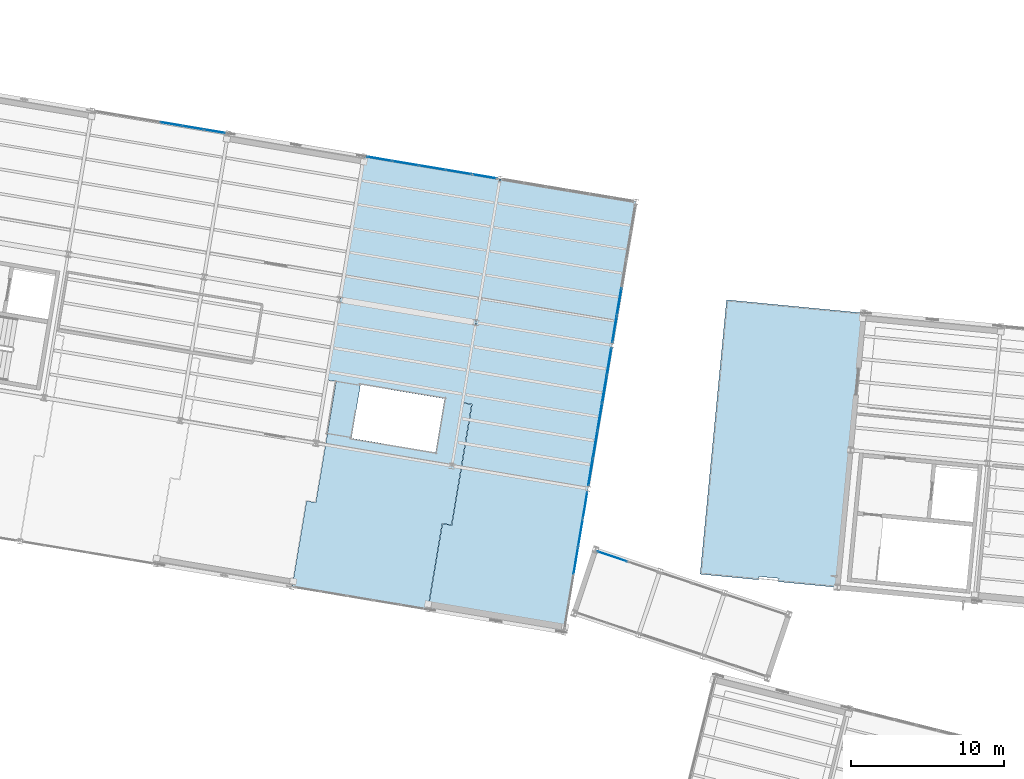
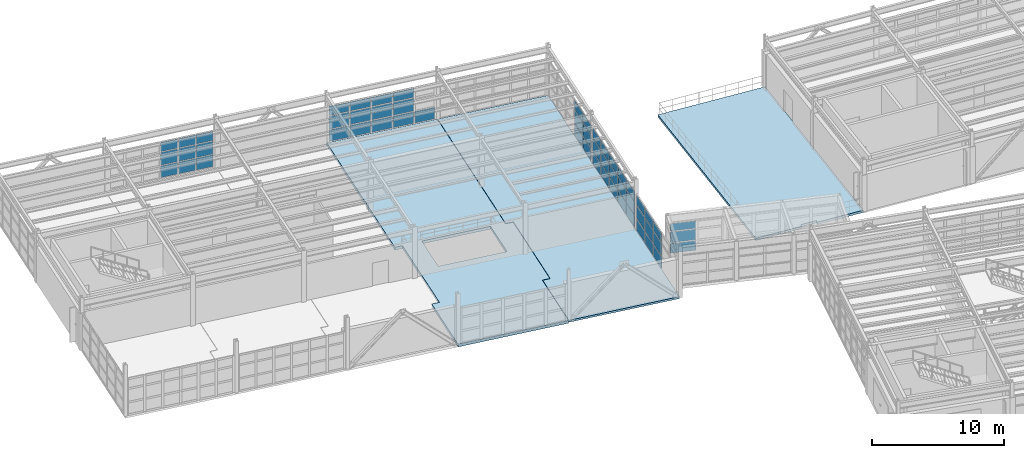
# One storey, part 67 of 102: 55 plates, 3 slabs, 6 elements without a shape of their own.
"""IFC4 building model written with IfcOpenShell, lengths in metres."""

from ifc_helpers import new_model, si_unit, direction, frame, origin, origin_2d, place, context, subcontext, project, spatial, polyline, rectangle, outline, extrude, material, layer, layer_set, type_object, element, aggregate, save


model = new_model("IFC4")

# Units and contexts
model_context = context("Model", 3, precision=1e-05, world=origin(), true_north=direction((0.0, 1.0)))
body_context = subcontext(model_context, "Body", "Model", "MODEL_VIEW")
ifc_project = project(units=[si_unit("LENGTHUNIT", "METRE"), si_unit("AREAUNIT", "SQUARE_METRE"), si_unit("VOLUMEUNIT", "CUBIC_METRE"), si_unit("PLANEANGLEUNIT", "RADIAN"), si_unit("MASSUNIT", "GRAM", prefix="KILO")], contexts=[model_context])

# Site, building, storey
site_placement = place(None, origin())
site = spatial("IfcSite", under=ifc_project, at=site_placement, CompositionType="ELEMENT")
building_placement = place(site_placement, origin())
building = spatial("IfcBuilding", under=site, at=building_placement, Name="Vireo Bluff Cable Station", CompositionType="ELEMENT")
storey_placement = place(building_placement, frame((0.0, 0.0, 9.60009765625)))
storey = spatial("IfcBuildingStorey", under=building, at=storey_placement, Name="L02", CompositionType="ELEMENT", Elevation=9.60009765625)

# Curtain wall, plates
ifc_material_1 = material(Name="Anodized Aluminium 6063-T6", Category="aluminium")
ifc_layer_1 = layer(ifc_material_1, 0.179931640625, Name="Anodized Aluminium 6063-T6")
ifc_layer_set_1 = layer_set([ifc_layer_1], Name="Anodized Aluminium 6063-T6")
curtain_wall_type_1 = type_object("IfcCurtainWallType", Name="CW-UNIT-1500", PredefinedType="USERDEFINED", material=ifc_layer_set_1)
curtain_wall_1_placement = place(storey_placement, origin())
curtain_wall_1 = element("IfcCurtainWall", 1, at=curtain_wall_1_placement, inside=storey, type_object=curtain_wall_type_1, Name="V4 L02 north curtain wall CW-100", ObjectType="UNITISED CURTAIN WALL", PredefinedType="USERDEFINED")
ifc_material_2 = material(Name="Laminated Low-E Insulated Glass", Category="glass")
ifc_layer_2 = layer(ifc_material_2, 0.028076171875, Name="Laminated Low-E Insulated Glass")
ifc_layer_set_2 = layer_set([ifc_layer_2], Name="Laminated Low-E Insulated Glass")
plate_type_1 = type_object("IfcPlateType", Name="CWP-28-1", PredefinedType="CURTAIN_PANEL", material=ifc_layer_set_2)
plate_1_placement = place(storey_placement, frame((24.233642578125, 97.261474609375, 0.06494140625), z_axis=(0.0, 0.0, 1.0), x_axis=(0.986285611827, -0.165047544373, 0.0)))
plate_1 = element("IfcPlate", 2, at=plate_1_placement, type_object=plate_type_1, Name="CW-100 panel 4.1", PredefinedType="CURTAIN_PANEL", context=body_context, shape_type="SweptSolid", body=[
    extrude(rectangle(XDim=1.382568359375, YDim=0.028076171875, at=origin_2d()), origin(), (0.0, 0.0, 1.0), 1.092529296875),
])
plate_2_placement = place(storey_placement, frame((24.233642578125, 97.261474609375, 1.22216796875), z_axis=(0.0, 0.0, 1.0), x_axis=(0.986285611827, -0.165047544373, 0.0)))
plate_2 = element("IfcPlate", 3, at=plate_2_placement, type_object=plate_type_1, Name="CW-100 panel 4.2", PredefinedType="CURTAIN_PANEL", context=body_context, shape_type="SweptSolid", body=[
    extrude(rectangle(XDim=1.382568359375, YDim=0.028076171875, at=origin_2d()), origin(), (0.0, 0.0, 1.0), 1.193115234375),
])
plate_3_placement = place(storey_placement, frame((24.233642578125, 97.261474609375, 2.48046875), z_axis=(0.0, 0.0, 1.0), x_axis=(0.986285611827, -0.165047544373, 0.0)))
plate_3 = element("IfcPlate", 4, at=plate_3_placement, type_object=plate_type_1, Name="CW-100 panel 4.3", PredefinedType="CURTAIN_PANEL", context=body_context, shape_type="SweptSolid", body=[
    extrude(rectangle(XDim=1.382568359375, YDim=0.028076171875, at=origin_2d()), origin(), (0.0, 0.0, 1.0), 0.8544921875),
])
plate_4_placement = place(storey_placement, frame((25.6611328125, 97.0224609375, 0.06494140625), z_axis=(0.0, 0.0, 1.0), x_axis=(0.986285611827, -0.165047544373, 0.0)))
plate_4 = element("IfcPlate", 5, at=plate_4_placement, type_object=plate_type_1, Name="CW-100 panel 5.1", PredefinedType="CURTAIN_PANEL", context=body_context, shape_type="SweptSolid", body=[
    extrude(rectangle(XDim=1.382568359375, YDim=0.028076171875, at=origin_2d()), origin(), (0.0, 0.0, 1.0), 1.092529296875),
])
plate_5_placement = place(storey_placement, frame((25.6611328125, 97.0224609375, 1.22216796875), z_axis=(0.0, 0.0, 1.0), x_axis=(0.986285611827, -0.165047544373, 0.0)))
plate_5 = element("IfcPlate", 6, at=plate_5_placement, type_object=plate_type_1, Name="CW-100 panel 5.2", PredefinedType="CURTAIN_PANEL", context=body_context, shape_type="SweptSolid", body=[
    extrude(rectangle(XDim=1.382568359375, YDim=0.028076171875, at=origin_2d()), origin(), (0.0, 0.0, 1.0), 1.193115234375),
])
plate_6_placement = place(storey_placement, frame((25.6611328125, 97.0224609375, 2.48046875), z_axis=(0.0, 0.0, 1.0), x_axis=(0.986285611827, -0.165047544373, 0.0)))
plate_6 = element("IfcPlate", 7, at=plate_6_placement, type_object=plate_type_1, Name="CW-100 panel 5.3", PredefinedType="CURTAIN_PANEL", context=body_context, shape_type="SweptSolid", body=[
    extrude(rectangle(XDim=1.382568359375, YDim=0.028076171875, at=origin_2d()), origin(), (0.0, 0.0, 1.0), 0.8544921875),
])
plate_7_placement = place(storey_placement, frame((27.07275390625, 96.7861328125, 0.06494140625), z_axis=(0.0, 0.0, 1.0), x_axis=(0.986285611827, -0.165047544373, 0.0)))
plate_7 = element("IfcPlate", 8, at=plate_7_placement, type_object=plate_type_1, Name="CW-100 panel 6.1", PredefinedType="CURTAIN_PANEL", context=body_context, shape_type="SweptSolid", body=[
    extrude(rectangle(XDim=1.35009765625, YDim=0.028076171875, at=origin_2d()), origin(), (0.0, 0.0, 1.0), 1.092529296875),
])
plate_8_placement = place(storey_placement, frame((27.07275390625, 96.7861328125, 1.22216796875), z_axis=(0.0, 0.0, 1.0), x_axis=(0.986285611827, -0.165047544373, 0.0)))
plate_8 = element("IfcPlate", 9, at=plate_8_placement, type_object=plate_type_1, Name="CW-100 panel 6.2", PredefinedType="CURTAIN_PANEL", context=body_context, shape_type="SweptSolid", body=[
    extrude(rectangle(XDim=1.35009765625, YDim=0.028076171875, at=origin_2d()), origin(), (0.0, 0.0, 1.0), 1.193115234375),
])
plate_9_placement = place(storey_placement, frame((27.07275390625, 96.7861328125, 2.48046875), z_axis=(0.0, 0.0, 1.0), x_axis=(0.986285611827, -0.165047544373, 0.0)))
plate_9 = element("IfcPlate", 10, at=plate_9_placement, type_object=plate_type_1, Name="CW-100 panel 6.3", PredefinedType="CURTAIN_PANEL", context=body_context, shape_type="SweptSolid", body=[
    extrude(rectangle(XDim=1.35009765625, YDim=0.028076171875, at=origin_2d()), origin(), (0.0, 0.0, 1.0), 0.8544921875),
])
aggregate(curtain_wall_1, [plate_1, plate_2, plate_3, plate_4, plate_5, plate_6, plate_7, plate_8, plate_9])

ifc_layer_3 = layer(ifc_material_1, 0.159912109375, Name="Anodized Aluminium 6063-T6")
ifc_layer_set_3 = layer_set([ifc_layer_3], Name="Anodized Aluminium 6063-T6")
curtain_wall_type_2 = type_object("IfcCurtainWallType", Name="CW-STICK-1850", PredefinedType="USERDEFINED", material=ifc_layer_set_3)
curtain_wall_2_placement = place(storey_placement, origin())
curtain_wall_2 = element("IfcCurtainWall", 11, at=curtain_wall_2_placement, inside=storey, type_object=curtain_wall_type_2, Name="V4 L02 east curtain wall CW-105", ObjectType="STICK CURTAIN WALL", PredefinedType="USERDEFINED")
plate_10_placement = place(storey_placement, frame((51.269287109375, 72.358642578125, 0.0751953125), z_axis=(0.0, 0.0, 1.0), x_axis=(-0.165047565064, -0.986285608364, 0.0)))
plate_10 = element("IfcPlate", 12, at=plate_10_placement, type_object=plate_type_1, Name="CW-105 panel 1.1", PredefinedType="CURTAIN_PANEL", context=body_context, shape_type="SweptSolid", body=[
    extrude(rectangle(XDim=1.72119140625, YDim=0.028076171875, at=origin_2d()), origin(), (0.0, 0.0, 1.0), 1.077392578125),
])
plate_11_placement = place(storey_placement, frame((51.269287109375, 72.358642578125, 1.227294921875), z_axis=(0.0, 0.0, 1.0), x_axis=(-0.165047565064, -0.986285608364, 0.0)))
plate_11 = element("IfcPlate", 13, at=plate_11_placement, type_object=plate_type_1, Name="CW-105 panel 1.2", PredefinedType="CURTAIN_PANEL", context=body_context, shape_type="SweptSolid", body=[
    extrude(rectangle(XDim=1.72119140625, YDim=0.028076171875, at=origin_2d()), origin(), (0.0, 0.0, 1.0), 1.18310546875),
])
plate_12_placement = place(storey_placement, frame((51.269287109375, 72.358642578125, 2.4853515625), z_axis=(0.0, 0.0, 1.0), x_axis=(-0.165047565064, -0.986285608364, 0.0)))
plate_12 = element("IfcPlate", 14, at=plate_12_placement, type_object=plate_type_1, Name="CW-105 panel 1.3", PredefinedType="CURTAIN_PANEL", context=body_context, shape_type="SweptSolid", body=[
    extrude(rectangle(XDim=1.72119140625, YDim=0.028076171875, at=origin_2d()), origin(), (0.0, 0.0, 1.0), 0.839599609375),
])
plate_13_placement = place(storey_placement, frame((50.969970703125, 70.568603515625, 0.0751953125), z_axis=(0.0, 0.0, 1.0), x_axis=(-0.165047565064, -0.986285608364, 0.0)))
plate_13 = element("IfcPlate", 15, at=plate_13_placement, type_object=plate_type_1, Name="CW-105 panel 2.1", PredefinedType="CURTAIN_PANEL", context=body_context, shape_type="SweptSolid", body=[
    extrude(rectangle(XDim=1.758544921875, YDim=0.028076171875, at=origin_2d()), origin(), (0.0, 0.0, 1.0), 1.077392578125),
])
plate_14_placement = place(storey_placement, frame((50.969970703125, 70.568603515625, 1.227294921875), z_axis=(0.0, 0.0, 1.0), x_axis=(-0.165047565064, -0.986285608364, 0.0)))
plate_14 = element("IfcPlate", 16, at=plate_14_placement, type_object=plate_type_1, Name="CW-105 panel 2.2", PredefinedType="CURTAIN_PANEL", context=body_context, shape_type="SweptSolid", body=[
    extrude(rectangle(XDim=1.758544921875, YDim=0.028076171875, at=origin_2d()), origin(), (0.0, 0.0, 1.0), 1.18310546875),
])
plate_15_placement = place(storey_placement, frame((50.969970703125, 70.568603515625, 2.4853515625), z_axis=(0.0, 0.0, 1.0), x_axis=(-0.165047565064, -0.986285608364, 0.0)))
plate_15 = element("IfcPlate", 17, at=plate_15_placement, type_object=plate_type_1, Name="CW-105 panel 2.3", PredefinedType="CURTAIN_PANEL", context=body_context, shape_type="SweptSolid", body=[
    extrude(rectangle(XDim=1.758544921875, YDim=0.028076171875, at=origin_2d()), origin(), (0.0, 0.0, 1.0), 0.839599609375),
])
plate_16_placement = place(storey_placement, frame((50.667236328125, 68.76025390625, 0.0751953125), z_axis=(0.0, 0.0, 1.0), x_axis=(-0.165047565064, -0.986285608364, 0.0)))
plate_16 = element("IfcPlate", 18, at=plate_16_placement, type_object=plate_type_1, Name="CW-105 panel 3.1", PredefinedType="CURTAIN_PANEL", context=body_context, shape_type="SweptSolid", body=[
    extrude(rectangle(XDim=1.758544921875, YDim=0.028076171875, at=origin_2d()), origin(), (0.0, 0.0, 1.0), 1.077392578125),
])
plate_17_placement = place(storey_placement, frame((50.667236328125, 68.76025390625, 1.227294921875), z_axis=(0.0, 0.0, 1.0), x_axis=(-0.165047565064, -0.986285608364, 0.0)))
plate_17 = element("IfcPlate", 19, at=plate_17_placement, type_object=plate_type_1, Name="CW-105 panel 3.2", PredefinedType="CURTAIN_PANEL", context=body_context, shape_type="SweptSolid", body=[
    extrude(rectangle(XDim=1.758544921875, YDim=0.028076171875, at=origin_2d()), origin(), (0.0, 0.0, 1.0), 1.18310546875),
])
plate_18_placement = place(storey_placement, frame((50.667236328125, 68.76025390625, 2.4853515625), z_axis=(0.0, 0.0, 1.0), x_axis=(-0.165047565064, -0.986285608364, 0.0)))
plate_18 = element("IfcPlate", 20, at=plate_18_placement, type_object=plate_type_1, Name="CW-105 panel 3.3", PredefinedType="CURTAIN_PANEL", context=body_context, shape_type="SweptSolid", body=[
    extrude(rectangle(XDim=1.758544921875, YDim=0.028076171875, at=origin_2d()), origin(), (0.0, 0.0, 1.0), 0.839599609375),
])
aggregate(curtain_wall_2, [plate_10, plate_11, plate_12, plate_13, plate_14, plate_15, plate_16, plate_17, plate_18])

ifc_layer_4 = layer(ifc_material_1, 0.179931640625, Name="Anodized Aluminium 6063-T6")
ifc_layer_set_4 = layer_set([ifc_layer_4], Name="Anodized Aluminium 6063-T6")
curtain_wall_type_3 = type_object("IfcCurtainWallType", Name="CW-UNIT-1650", PredefinedType="USERDEFINED", material=ifc_layer_set_4)
curtain_wall_3_placement = place(storey_placement, origin())
curtain_wall_3 = element("IfcCurtainWall", 21, at=curtain_wall_3_placement, inside=storey, type_object=curtain_wall_type_3, Name="V4 L02 north curtain wall CW-101", ObjectType="UNITISED CURTAIN WALL", PredefinedType="USERDEFINED")
ifc_layer_5 = layer(ifc_material_2, 0.031982421875, Name="Laminated Low-E Insulated Glass")
ifc_layer_set_5 = layer_set([ifc_layer_5], Name="Laminated Low-E Insulated Glass")
plate_type_2 = type_object("IfcPlateType", Name="CWP-32-2", PredefinedType="CURTAIN_PANEL", material=ifc_layer_set_5)
plate_19_placement = place(storey_placement, frame((37.841552734375, 94.984130859375, 0.0751953125), z_axis=(0.0, 0.0, 1.0), x_axis=(0.986285605556, -0.165047581847, 0.0)))
plate_19 = element("IfcPlate", 22, at=plate_19_placement, type_object=plate_type_2, Name="CW-101 panel 1.1", PredefinedType="CURTAIN_PANEL", context=body_context, shape_type="SweptSolid", body=[
    extrude(rectangle(XDim=1.635986328125, YDim=0.031982421875, at=origin_2d()), origin(), (0.0, 0.0, 1.0), 1.077392578125),
])
plate_20_placement = place(storey_placement, frame((37.841552734375, 94.984130859375, 1.227294921875), z_axis=(0.0, 0.0, 1.0), x_axis=(0.986285605556, -0.165047581847, 0.0)))
plate_20 = element("IfcPlate", 23, at=plate_20_placement, type_object=plate_type_2, Name="CW-101 panel 1.2", PredefinedType="CURTAIN_PANEL", context=body_context, shape_type="SweptSolid", body=[
    extrude(rectangle(XDim=1.635986328125, YDim=0.031982421875, at=origin_2d()), origin(), (0.0, 0.0, 1.0), 1.18310546875),
])
plate_21_placement = place(storey_placement, frame((37.841552734375, 94.984130859375, 2.4853515625), z_axis=(0.0, 0.0, 1.0), x_axis=(0.986285605556, -0.165047581847, 0.0)))
plate_21 = element("IfcPlate", 24, at=plate_21_placement, type_object=plate_type_2, Name="CW-101 panel 1.3", PredefinedType="CURTAIN_PANEL", context=body_context, shape_type="SweptSolid", body=[
    extrude(rectangle(XDim=1.635986328125, YDim=0.031982421875, at=origin_2d()), origin(), (0.0, 0.0, 1.0), 0.839599609375),
])
plate_22_placement = place(storey_placement, frame((39.54736328125, 94.69873046875, 0.0751953125), z_axis=(0.0, 0.0, 1.0), x_axis=(0.986285605556, -0.165047581847, 0.0)))
plate_22 = element("IfcPlate", 25, at=plate_22_placement, type_object=plate_type_2, Name="CW-101 panel 2.1", PredefinedType="CURTAIN_PANEL", context=body_context, shape_type="SweptSolid", body=[
    extrude(rectangle(XDim=1.67333984375, YDim=0.031982421875, at=origin_2d()), origin(), (0.0, 0.0, 1.0), 1.077392578125),
])
plate_23_placement = place(storey_placement, frame((39.54736328125, 94.69873046875, 1.227294921875), z_axis=(0.0, 0.0, 1.0), x_axis=(0.986285605556, -0.165047581847, 0.0)))
plate_23 = element("IfcPlate", 26, at=plate_23_placement, type_object=plate_type_2, Name="CW-101 panel 2.2", PredefinedType="CURTAIN_PANEL", context=body_context, shape_type="SweptSolid", body=[
    extrude(rectangle(XDim=1.67333984375, YDim=0.031982421875, at=origin_2d()), origin(), (0.0, 0.0, 1.0), 1.18310546875),
])
plate_24_placement = place(storey_placement, frame((39.54736328125, 94.69873046875, 2.4853515625), z_axis=(0.0, 0.0, 1.0), x_axis=(0.986285605556, -0.165047581847, 0.0)))
plate_24 = element("IfcPlate", 27, at=plate_24_placement, type_object=plate_type_2, Name="CW-101 panel 2.3", PredefinedType="CURTAIN_PANEL", context=body_context, shape_type="SweptSolid", body=[
    extrude(rectangle(XDim=1.67333984375, YDim=0.031982421875, at=origin_2d()), origin(), (0.0, 0.0, 1.0), 0.839599609375),
])
plate_25_placement = place(storey_placement, frame((41.27197265625, 94.41015625, 0.0751953125), z_axis=(0.0, 0.0, 1.0), x_axis=(0.986285605556, -0.165047581847, 0.0)))
plate_25 = element("IfcPlate", 28, at=plate_25_placement, type_object=plate_type_2, Name="CW-101 panel 3.1", PredefinedType="CURTAIN_PANEL", context=body_context, shape_type="SweptSolid", body=[
    extrude(rectangle(XDim=1.67333984375, YDim=0.031982421875, at=origin_2d()), origin(), (0.0, 0.0, 1.0), 1.077392578125),
])
plate_26_placement = place(storey_placement, frame((41.27197265625, 94.41015625, 1.227294921875), z_axis=(0.0, 0.0, 1.0), x_axis=(0.986285605556, -0.165047581847, 0.0)))
plate_26 = element("IfcPlate", 29, at=plate_26_placement, type_object=plate_type_2, Name="CW-101 panel 3.2", PredefinedType="CURTAIN_PANEL", context=body_context, shape_type="SweptSolid", body=[
    extrude(rectangle(XDim=1.67333984375, YDim=0.031982421875, at=origin_2d()), origin(), (0.0, 0.0, 1.0), 1.18310546875),
])
plate_27_placement = place(storey_placement, frame((41.27197265625, 94.41015625, 2.4853515625), z_axis=(0.0, 0.0, 1.0), x_axis=(0.986285605556, -0.165047581847, 0.0)))
plate_27 = element("IfcPlate", 30, at=plate_27_placement, type_object=plate_type_2, Name="CW-101 panel 3.3", PredefinedType="CURTAIN_PANEL", context=body_context, shape_type="SweptSolid", body=[
    extrude(rectangle(XDim=1.67333984375, YDim=0.031982421875, at=origin_2d()), origin(), (0.0, 0.0, 1.0), 0.839599609375),
])
plate_28_placement = place(storey_placement, frame((42.996337890625, 94.12158203125, 0.0751953125), z_axis=(0.0, 0.0, 1.0), x_axis=(0.986285605556, -0.165047581847, 0.0)))
plate_28 = element("IfcPlate", 31, at=plate_28_placement, type_object=plate_type_2, Name="CW-101 panel 4.1", PredefinedType="CURTAIN_PANEL", context=body_context, shape_type="SweptSolid", body=[
    extrude(rectangle(XDim=1.67333984375, YDim=0.031982421875, at=origin_2d()), origin(), (0.0, 0.0, 1.0), 1.077392578125),
])
plate_29_placement = place(storey_placement, frame((42.996337890625, 94.12158203125, 1.227294921875), z_axis=(0.0, 0.0, 1.0), x_axis=(0.986285605556, -0.165047581847, 0.0)))
plate_29 = element("IfcPlate", 32, at=plate_29_placement, type_object=plate_type_2, Name="CW-101 panel 4.2", PredefinedType="CURTAIN_PANEL", context=body_context, shape_type="SweptSolid", body=[
    extrude(rectangle(XDim=1.67333984375, YDim=0.031982421875, at=origin_2d()), origin(), (0.0, 0.0, 1.0), 1.18310546875),
])
plate_30_placement = place(storey_placement, frame((42.996337890625, 94.12158203125, 2.4853515625), z_axis=(0.0, 0.0, 1.0), x_axis=(0.986285605556, -0.165047581847, 0.0)))
plate_30 = element("IfcPlate", 33, at=plate_30_placement, type_object=plate_type_2, Name="CW-101 panel 4.3", PredefinedType="CURTAIN_PANEL", context=body_context, shape_type="SweptSolid", body=[
    extrude(rectangle(XDim=1.67333984375, YDim=0.031982421875, at=origin_2d()), origin(), (0.0, 0.0, 1.0), 0.839599609375),
])
plate_31_placement = place(storey_placement, frame((44.7021484375, 93.836181640625, 0.0751953125), z_axis=(0.0, 0.0, 1.0), x_axis=(0.986285605556, -0.165047581847, 0.0)))
plate_31 = element("IfcPlate", 34, at=plate_31_placement, type_object=plate_type_2, Name="CW-101 panel 5.1", PredefinedType="CURTAIN_PANEL", context=body_context, shape_type="SweptSolid", body=[
    extrude(rectangle(XDim=1.635986328125, YDim=0.031982421875, at=origin_2d()), origin(), (0.0, 0.0, 1.0), 1.077392578125),
])
aggregate(curtain_wall_3, [plate_19, plate_20, plate_21, plate_22, plate_23, plate_24, plate_25, plate_26, plate_27, plate_28, plate_29, plate_30, plate_31])

curtain_wall_4_placement = place(storey_placement, origin())
curtain_wall_4 = element("IfcCurtainWall", 35, at=curtain_wall_4_placement, inside=storey, type_object=curtain_wall_type_2, Name="SKYBR L02 CABIN-TRANSFER-1R curtain wall CW-141", ObjectType="STICK CURTAIN WALL", PredefinedType="USERDEFINED")
plate_32_placement = place(storey_placement, frame((53.048095703125, 69.017333984375, 0.074951171875), z_axis=(0.0, 0.0, 1.0), x_axis=(0.948115110586, -0.317927251237, 0.0)))
plate_32 = element("IfcPlate", 36, at=plate_32_placement, type_object=plate_type_2, Name="CW-141 panel 1.1", PredefinedType="CURTAIN_PANEL", context=body_context, shape_type="SweptSolid", body=[
    extrude(rectangle(XDim=1.987548828125, YDim=0.031982421875, at=origin_2d()), origin(), (0.0, 0.0, 1.0), 0.8955078125),
])
plate_33_placement = place(storey_placement, frame((53.048095703125, 69.017333984375, 1.04541015625), z_axis=(0.0, 0.0, 1.0), x_axis=(0.948115110586, -0.317927251237, 0.0)))
plate_33 = element("IfcPlate", 37, at=plate_33_placement, type_object=plate_type_2, Name="CW-141 panel 1.2", PredefinedType="CURTAIN_PANEL", context=body_context, shape_type="SweptSolid", body=[
    extrude(rectangle(XDim=1.987548828125, YDim=0.031982421875, at=origin_2d()), origin(), (0.0, 0.0, 1.0), 0.990478515625),
])
plate_34_placement = place(storey_placement, frame((53.048095703125, 69.017333984375, 2.111083984375), z_axis=(0.0, 0.0, 1.0), x_axis=(0.948115110586, -0.317927251237, 0.0)))
plate_34 = element("IfcPlate", 38, at=plate_34_placement, type_object=plate_type_2, Name="CW-141 panel 1.3", PredefinedType="CURTAIN_PANEL", context=body_context, shape_type="SweptSolid", body=[
    extrude(rectangle(XDim=1.987548828125, YDim=0.031982421875, at=origin_2d()), origin(), (0.0, 0.0, 1.0), 0.69384765625),
])
aggregate(curtain_wall_4, [plate_32, plate_33, plate_34])

curtain_wall_5_placement = place(storey_placement, origin())
curtain_wall_5 = element("IfcCurtainWall", 39, at=curtain_wall_5_placement, inside=storey, type_object=curtain_wall_type_2, Name="V4 L02 east curtain wall CW-103", ObjectType="STICK CURTAIN WALL", PredefinedType="USERDEFINED")
ifc_material_3 = material(Name="Insulated Spandrel Glass Panel", Category="glass")
ifc_layer_6 = layer(ifc_material_3, 0.0419921875, Name="Insulated Spandrel Glass Panel")
ifc_layer_set_6 = layer_set([ifc_layer_6], Name="Insulated Spandrel Glass Panel")
plate_type_3 = type_object("IfcPlateType", Name="CWP-42-4", PredefinedType="CURTAIN_PANEL", material=ifc_layer_set_6)
plate_35_placement = place(storey_placement, frame((53.49658203125, 85.667236328125, 0.080078125), z_axis=(0.0, 0.0, 1.0), x_axis=(-0.165047635589, -0.986285596562, 0.0)))
plate_35 = element("IfcPlate", 40, at=plate_35_placement, type_object=plate_type_3, Name="CW-103 panel 4.1", PredefinedType="CURTAIN_PANEL", context=body_context, shape_type="SweptSolid", body=[
    extrude(rectangle(XDim=1.760498046875, YDim=0.0419921875, at=origin_2d()), origin(), (0.0, 0.0, 1.0), 1.070068359375),
])
plate_36_placement = place(storey_placement, frame((53.49658203125, 85.667236328125, 1.22998046875), z_axis=(0.0, 0.0, 1.0), x_axis=(-0.165047635589, -0.986285596562, 0.0)))
plate_36 = element("IfcPlate", 41, at=plate_36_placement, type_object=plate_type_3, Name="CW-103 panel 4.2", PredefinedType="CURTAIN_PANEL", context=body_context, shape_type="SweptSolid", body=[
    extrude(rectangle(XDim=1.760498046875, YDim=0.0419921875, at=origin_2d()), origin(), (0.0, 0.0, 1.0), 1.177978515625),
])
plate_37_placement = place(storey_placement, frame((53.49658203125, 85.667236328125, 2.48779296875), z_axis=(0.0, 0.0, 1.0), x_axis=(-0.165047635589, -0.986285596562, 0.0)))
plate_37 = element("IfcPlate", 42, at=plate_37_placement, type_object=plate_type_3, Name="CW-103 panel 4.3", PredefinedType="CURTAIN_PANEL", context=body_context, shape_type="SweptSolid", body=[
    extrude(rectangle(XDim=1.760498046875, YDim=0.0419921875, at=origin_2d()), origin(), (0.0, 0.0, 1.0), 0.83203125),
])
plate_38_placement = place(storey_placement, frame((53.196044921875, 83.871826171875, 0.080078125), z_axis=(0.0, 0.0, 1.0), x_axis=(-0.165047635589, -0.986285596562, 0.0)))
plate_38 = element("IfcPlate", 43, at=plate_38_placement, type_object=plate_type_3, Name="CW-103 panel 5.1", PredefinedType="CURTAIN_PANEL", context=body_context, shape_type="SweptSolid", body=[
    extrude(rectangle(XDim=1.720458984375, YDim=0.0419921875, at=origin_2d()), origin(), (0.0, 0.0, 1.0), 1.070068359375),
])
plate_39_placement = place(storey_placement, frame((53.196044921875, 83.871826171875, 1.22998046875), z_axis=(0.0, 0.0, 1.0), x_axis=(-0.165047635589, -0.986285596562, 0.0)))
plate_39 = element("IfcPlate", 44, at=plate_39_placement, type_object=plate_type_3, Name="CW-103 panel 5.2", PredefinedType="CURTAIN_PANEL", context=body_context, shape_type="SweptSolid", body=[
    extrude(rectangle(XDim=1.720458984375, YDim=0.0419921875, at=origin_2d()), origin(), (0.0, 0.0, 1.0), 1.177978515625),
])
plate_40_placement = place(storey_placement, frame((53.196044921875, 83.871826171875, 2.48779296875), z_axis=(0.0, 0.0, 1.0), x_axis=(-0.165047635589, -0.986285596562, 0.0)))
plate_40 = element("IfcPlate", 45, at=plate_40_placement, type_object=plate_type_3, Name="CW-103 panel 5.3", PredefinedType="CURTAIN_PANEL", context=body_context, shape_type="SweptSolid", body=[
    extrude(rectangle(XDim=1.720458984375, YDim=0.0419921875, at=origin_2d()), origin(), (0.0, 0.0, 1.0), 0.83203125),
])
aggregate(curtain_wall_5, [plate_35, plate_36, plate_37, plate_38, plate_39, plate_40])

ifc_layer_7 = layer(ifc_material_1, 0.159912109375, Name="Anodized Aluminium 6063-T6")
ifc_layer_set_7 = layer_set([ifc_layer_7], Name="Anodized Aluminium 6063-T6")
curtain_wall_type_4 = type_object("IfcCurtainWallType", Name="CW-STICK-1750", PredefinedType="USERDEFINED", material=ifc_layer_set_7)
curtain_wall_6_placement = place(storey_placement, origin())
curtain_wall_6 = element("IfcCurtainWall", 46, at=curtain_wall_6_placement, inside=storey, type_object=curtain_wall_type_4, Name="V4 L02 east curtain wall CW-104", ObjectType="STICK CURTAIN WALL", PredefinedType="USERDEFINED")
ifc_layer_8 = layer(ifc_material_3, 0.048095703125, Name="Insulated Spandrel Glass Panel")
ifc_layer_set_8 = layer_set([ifc_layer_8], Name="Insulated Spandrel Glass Panel")
plate_type_4 = type_object("IfcPlateType", Name="CWP-48-5", PredefinedType="CURTAIN_PANEL", material=ifc_layer_set_8)
plate_41_placement = place(storey_placement, frame((52.842041015625, 81.75634765625, 0.06494140625), z_axis=(0.0, 0.0, 1.0), x_axis=(-0.165047547574, -0.986285611291, 0.0)))
plate_41 = element("IfcPlate", 47, at=plate_41_placement, type_object=plate_type_4, Name="CW-104 panel 1.1", PredefinedType="CURTAIN_PANEL", context=body_context, shape_type="SweptSolid", body=[
    extrude(rectangle(XDim=1.742919921875, YDim=0.048095703125, at=origin_2d()), origin(), (0.0, 0.0, 1.0), 1.092529296875),
])
plate_42_placement = place(storey_placement, frame((52.842041015625, 81.75634765625, 1.22216796875), z_axis=(0.0, 0.0, 1.0), x_axis=(-0.165047547574, -0.986285611291, 0.0)))
plate_42 = element("IfcPlate", 48, at=plate_42_placement, type_object=plate_type_4, Name="CW-104 panel 1.2", PredefinedType="CURTAIN_PANEL", context=body_context, shape_type="SweptSolid", body=[
    extrude(rectangle(XDim=1.742919921875, YDim=0.048095703125, at=origin_2d()), origin(), (0.0, 0.0, 1.0), 1.193115234375),
])
plate_43_placement = place(storey_placement, frame((52.842041015625, 81.75634765625, 2.48046875), z_axis=(0.0, 0.0, 1.0), x_axis=(-0.165047547574, -0.986285611291, 0.0)))
plate_43 = element("IfcPlate", 49, at=plate_43_placement, type_object=plate_type_4, Name="CW-104 panel 1.3", PredefinedType="CURTAIN_PANEL", context=body_context, shape_type="SweptSolid", body=[
    extrude(rectangle(XDim=1.742919921875, YDim=0.048095703125, at=origin_2d()), origin(), (0.0, 0.0, 1.0), 0.8544921875),
])
plate_44_placement = place(storey_placement, frame((52.541015625, 79.957275390625, 0.06494140625), z_axis=(0.0, 0.0, 1.0), x_axis=(-0.165047547574, -0.986285611291, 0.0)))
plate_44 = element("IfcPlate", 50, at=plate_44_placement, type_object=plate_type_4, Name="CW-104 panel 2.1", PredefinedType="CURTAIN_PANEL", context=body_context, shape_type="SweptSolid", body=[
    extrude(rectangle(XDim=1.775390625, YDim=0.048095703125, at=origin_2d()), origin(), (0.0, 0.0, 1.0), 1.092529296875),
])
plate_45_placement = place(storey_placement, frame((52.541015625, 79.957275390625, 1.22216796875), z_axis=(0.0, 0.0, 1.0), x_axis=(-0.165047547574, -0.986285611291, 0.0)))
plate_45 = element("IfcPlate", 51, at=plate_45_placement, type_object=plate_type_4, Name="CW-104 panel 2.2", PredefinedType="CURTAIN_PANEL", context=body_context, shape_type="SweptSolid", body=[
    extrude(rectangle(XDim=1.775390625, YDim=0.048095703125, at=origin_2d()), origin(), (0.0, 0.0, 1.0), 1.193115234375),
])
plate_46_placement = place(storey_placement, frame((52.541015625, 79.957275390625, 2.48046875), z_axis=(0.0, 0.0, 1.0), x_axis=(-0.165047547574, -0.986285611291, 0.0)))
plate_46 = element("IfcPlate", 52, at=plate_46_placement, type_object=plate_type_4, Name="CW-104 panel 2.3", PredefinedType="CURTAIN_PANEL", context=body_context, shape_type="SweptSolid", body=[
    extrude(rectangle(XDim=1.775390625, YDim=0.048095703125, at=origin_2d()), origin(), (0.0, 0.0, 1.0), 0.8544921875),
])
plate_47_placement = place(storey_placement, frame((52.2373046875, 78.14208984375, 0.06494140625), z_axis=(0.0, 0.0, 1.0), x_axis=(-0.165047547574, -0.986285611291, 0.0)))
plate_47 = element("IfcPlate", 53, at=plate_47_placement, type_object=plate_type_4, Name="CW-104 panel 3.1", PredefinedType="CURTAIN_PANEL", context=body_context, shape_type="SweptSolid", body=[
    extrude(rectangle(XDim=1.775390625, YDim=0.048095703125, at=origin_2d()), origin(), (0.0, 0.0, 1.0), 1.092529296875),
])
plate_48_placement = place(storey_placement, frame((52.2373046875, 78.14208984375, 1.22216796875), z_axis=(0.0, 0.0, 1.0), x_axis=(-0.165047547574, -0.986285611291, 0.0)))
plate_48 = element("IfcPlate", 54, at=plate_48_placement, type_object=plate_type_4, Name="CW-104 panel 3.2", PredefinedType="CURTAIN_PANEL", context=body_context, shape_type="SweptSolid", body=[
    extrude(rectangle(XDim=1.775390625, YDim=0.048095703125, at=origin_2d()), origin(), (0.0, 0.0, 1.0), 1.193115234375),
])
plate_49_placement = place(storey_placement, frame((52.2373046875, 78.14208984375, 2.48046875), z_axis=(0.0, 0.0, 1.0), x_axis=(-0.165047547574, -0.986285611291, 0.0)))
plate_49 = element("IfcPlate", 55, at=plate_49_placement, type_object=plate_type_4, Name="CW-104 panel 3.3", PredefinedType="CURTAIN_PANEL", context=body_context, shape_type="SweptSolid", body=[
    extrude(rectangle(XDim=1.775390625, YDim=0.048095703125, at=origin_2d()), origin(), (0.0, 0.0, 1.0), 0.8544921875),
])
plate_50_placement = place(storey_placement, frame((51.933349609375, 76.32666015625, 0.06494140625), z_axis=(0.0, 0.0, 1.0), x_axis=(-0.165047547574, -0.986285611291, 0.0)))
plate_50 = element("IfcPlate", 56, at=plate_50_placement, type_object=plate_type_4, Name="CW-104 panel 4.1", PredefinedType="CURTAIN_PANEL", context=body_context, shape_type="SweptSolid", body=[
    extrude(rectangle(XDim=1.775390625, YDim=0.048095703125, at=origin_2d()), origin(), (0.0, 0.0, 1.0), 1.092529296875),
])
plate_51_placement = place(storey_placement, frame((51.933349609375, 76.32666015625, 1.22216796875), z_axis=(0.0, 0.0, 1.0), x_axis=(-0.165047547574, -0.986285611291, 0.0)))
plate_51 = element("IfcPlate", 57, at=plate_51_placement, type_object=plate_type_4, Name="CW-104 panel 4.2", PredefinedType="CURTAIN_PANEL", context=body_context, shape_type="SweptSolid", body=[
    extrude(rectangle(XDim=1.775390625, YDim=0.048095703125, at=origin_2d()), origin(), (0.0, 0.0, 1.0), 1.193115234375),
])
plate_52_placement = place(storey_placement, frame((51.933349609375, 76.32666015625, 2.48046875), z_axis=(0.0, 0.0, 1.0), x_axis=(-0.165047547574, -0.986285611291, 0.0)))
plate_52 = element("IfcPlate", 58, at=plate_52_placement, type_object=plate_type_4, Name="CW-104 panel 4.3", PredefinedType="CURTAIN_PANEL", context=body_context, shape_type="SweptSolid", body=[
    extrude(rectangle(XDim=1.775390625, YDim=0.048095703125, at=origin_2d()), origin(), (0.0, 0.0, 1.0), 0.8544921875),
])
plate_53_placement = place(storey_placement, frame((51.63232421875, 74.527587890625, 0.06494140625), z_axis=(0.0, 0.0, 1.0), x_axis=(-0.165047547574, -0.986285611291, 0.0)))
plate_53 = element("IfcPlate", 59, at=plate_53_placement, type_object=plate_type_4, Name="CW-104 panel 5.1", PredefinedType="CURTAIN_PANEL", context=body_context, shape_type="SweptSolid", body=[
    extrude(rectangle(XDim=1.742919921875, YDim=0.048095703125, at=origin_2d()), origin(), (0.0, 0.0, 1.0), 1.092529296875),
])
plate_54_placement = place(storey_placement, frame((51.63232421875, 74.527587890625, 1.22216796875), z_axis=(0.0, 0.0, 1.0), x_axis=(-0.165047547574, -0.986285611291, 0.0)))
plate_54 = element("IfcPlate", 60, at=plate_54_placement, type_object=plate_type_4, Name="CW-104 panel 5.2", PredefinedType="CURTAIN_PANEL", context=body_context, shape_type="SweptSolid", body=[
    extrude(rectangle(XDim=1.742919921875, YDim=0.048095703125, at=origin_2d()), origin(), (0.0, 0.0, 1.0), 1.193115234375),
])
plate_55_placement = place(storey_placement, frame((51.63232421875, 74.527587890625, 2.48046875), z_axis=(0.0, 0.0, 1.0), x_axis=(-0.165047547574, -0.986285611291, 0.0)))
plate_55 = element("IfcPlate", 61, at=plate_55_placement, type_object=plate_type_4, Name="CW-104 panel 5.3", PredefinedType="CURTAIN_PANEL", context=body_context, shape_type="SweptSolid", body=[
    extrude(rectangle(XDim=1.742919921875, YDim=0.048095703125, at=origin_2d()), origin(), (0.0, 0.0, 1.0), 0.8544921875),
])
aggregate(curtain_wall_6, [plate_41, plate_42, plate_43, plate_44, plate_45, plate_46, plate_47, plate_48, plate_49, plate_50, plate_51, plate_52, plate_53, plate_54, plate_55])

# Slabs
ifc_material_4 = material(Name="Concrete f'c 40 MPa", Category="concrete")
ifc_layer_9 = layer(ifc_material_4, 0.179931640625, Name="Concrete f'c 40 MPa")
ifc_layer_set_9 = layer_set([ifc_layer_9], Name="Concrete f'c 40 MPa")
slab_type_1 = type_object("IfcSlabType", Name="FLOORSLAB-180", PredefinedType="FLOOR", material=ifc_layer_set_9)
slab_1_placement = place(storey_placement, frame((0.0, 0.0, -0.18017578125)))
element("IfcSlab", 62, at=slab_1_placement, inside=storey, type_object=slab_type_1, Name="V4 L02 floor slab bay 5", PredefinedType="FLOOR", context=body_context, shape_type="SweptSolid", body=[
    extrude(outline(polyline([(41.01611328125, 65.556640625), (49.8828125, 64.07275390625), (54.586669921875, 92.181884765625), (45.719970703125, 93.665771484375), (43.27734375, 79.06884765625), (43.888916015625, 78.96630859375), (42.565185546875, 71.056396484375), (41.95361328125, 71.15869140625), (41.01611328125, 65.556640625)])), origin(), (0.0, 0.0, 1.0), 0.18017578125),
])
ifc_layer_10 = layer(ifc_material_4, 0.260009765625, Name="Concrete f'c 40 MPa")
ifc_layer_set_10 = layer_set([ifc_layer_10], Name="Concrete f'c 40 MPa")
slab_type_2 = type_object("IfcSlabType", Name="FLOORSLAB-260", PredefinedType="FLOOR", material=ifc_layer_set_10)
slab_2_placement = place(storey_placement, frame((0.0, 0.0, -0.260009765625)))
element("IfcSlab", 63, at=slab_2_placement, inside=storey, type_object=slab_type_2, Name="V4 L02 floor slab bay 4", PredefinedType="FLOOR", context=body_context, shape_type="SweptSolid", body=[
    extrude(outline(polyline([(32.1396484375, 67.0419921875), (40.996337890625, 65.56005859375), (41.937255859375, 71.181884765625), (42.548583984375, 71.079345703125), (43.86572265625, 78.949951171875), (43.254150390625, 79.05224609375), (45.7001953125, 93.669189453125), (36.843505859375, 95.151123046875), (34.400634765625, 80.55419921875), (35.01220703125, 80.451904296875), (33.6884765625, 72.541748046875), (33.0771484375, 72.644287109375), (32.1396484375, 67.0419921875)]), holes=[polyline([(36.013427734375, 76.736328125), (36.600830078125, 80.24609375), (42.0927734375, 79.326904296875), (41.505615234375, 75.8173828125), (36.013427734375, 76.736328125)])]), origin(), (0.0, 0.0, 1.0), 0.260009765625),
])
ifc_layer_11 = layer(ifc_material_4, 0.2099609375, Name="Concrete f'c 40 MPa")
ifc_layer_set_11 = layer_set([ifc_layer_11], Name="Concrete f'c 40 MPa")
slab_type_3 = type_object("IfcSlabType", Name="TERRACESLAB-210", PredefinedType="FLOOR", material=ifc_layer_set_11)
slab_3_placement = place(storey_placement, frame((0.0, 0.0, -0.210205078125)))
element("IfcSlab", 64, at=slab_3_placement, inside=storey, type_object=slab_type_3, Name="V3 L02 walkable outdoor terrace slab", PredefinedType="FLOOR", context=body_context, shape_type="SweptSolid", body=[
    extrude(outline(polyline([(58.779541015625, 67.866455078125), (62.601806640625, 67.49853515625), (62.623046875, 67.717529296875), (63.9169921875, 67.5927734375), (63.895751953125, 67.373779296875), (67.71826171875, 67.005859375), (69.443359375, 84.9228515625), (60.504638671875, 85.78369140625), (58.779541015625, 67.866455078125)])), origin(), (0.0, 0.0, 1.0), 0.210205078125),
])

save(model, "model.ifc")
